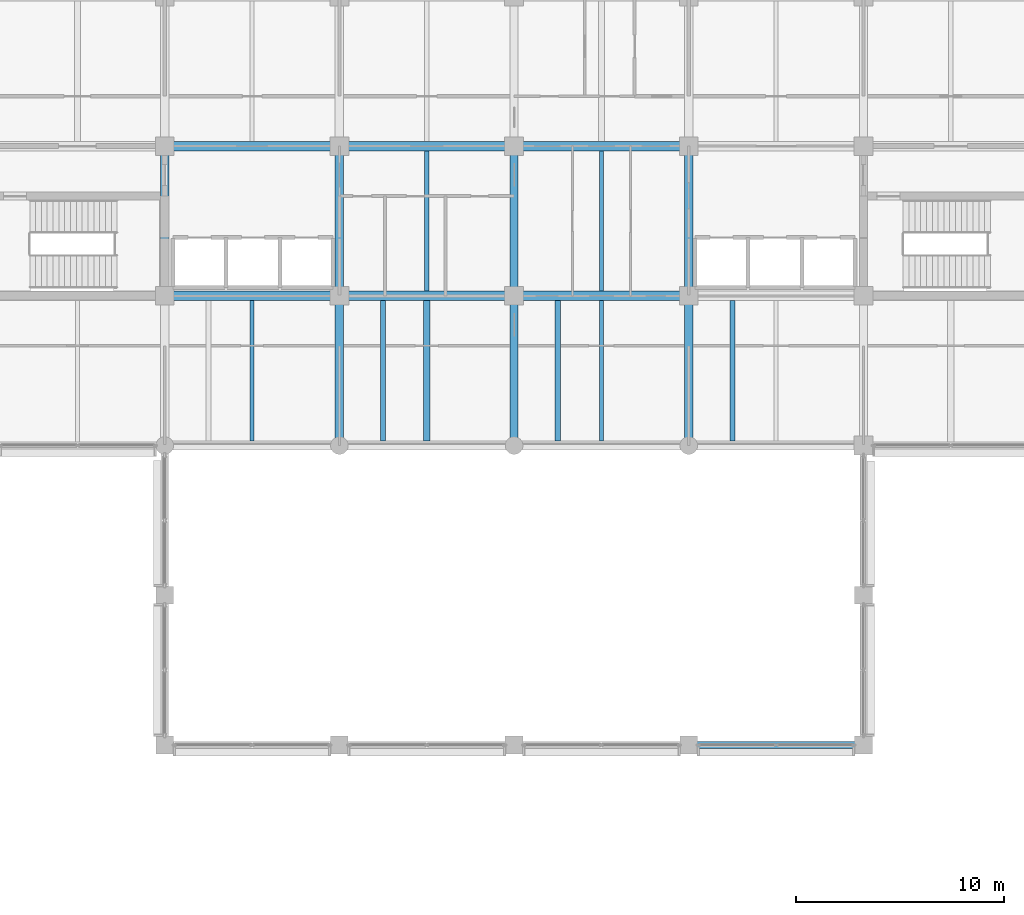
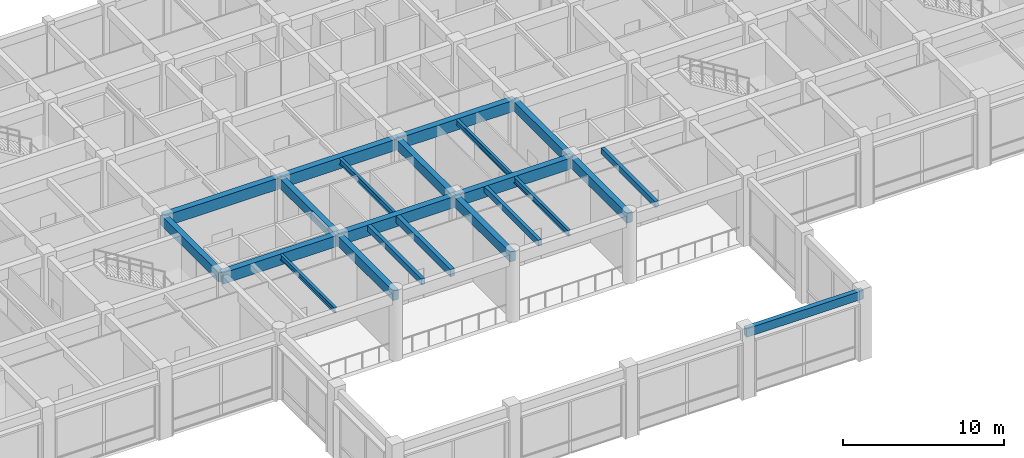
# One storey, part 8 of 51: 22 beams.
"""IFC4 building model written with IfcOpenShell, lengths in metres."""

from ifc_helpers import new_model, si_unit, direction, frame, origin, origin_2d, place, context, subcontext, project, spatial, rectangle, i_section, extrude, material, material_profile, profile_set, type_object, element, save


model = new_model("IFC4")

# Units and contexts
model_context = context("Model", 3, precision=1e-05, world=origin(), true_north=direction((0.0, 1.0)))
body_context = subcontext(model_context, "Body", "Model", "MODEL_VIEW")
ifc_project = project(units=[si_unit("LENGTHUNIT", "METRE"), si_unit("AREAUNIT", "SQUARE_METRE"), si_unit("VOLUMEUNIT", "CUBIC_METRE"), si_unit("PLANEANGLEUNIT", "RADIAN"), si_unit("MASSUNIT", "GRAM", prefix="KILO")], contexts=[model_context])

# Site, building, storey
site_placement = place(None, origin())
site = spatial("IfcSite", under=ifc_project, at=site_placement, CompositionType="ELEMENT")
building_placement = place(site_placement, origin())
building = spatial("IfcBuilding", under=site, at=building_placement, Name="Chengyuan Square Courthouse", CompositionType="ELEMENT")
storey_placement = place(building_placement, frame((0.0, 0.0, 10.800048828125)))
storey = spatial("IfcBuildingStorey", under=building, at=storey_placement, Name="L03", CompositionType="ELEMENT", Elevation=10.800048828125)

# Beams
ifc_material_1 = material(Name="Concrete C40", Category="concrete")
ifc_material_profile_1 = material_profile(ifc_material_1, rectangle(XDim=0.449951171875, YDim=0.85009765625, at=origin_2d()), Name="RC-BM-450x850")
ifc_profile_set_1 = profile_set([ifc_material_profile_1], Name="Concrete C40")
beam_type_1 = type_object("IfcBeamType", Name="BM-01", PredefinedType="USERDEFINED", material=ifc_profile_set_1)
beam_1_placement = place(storey_placement, frame((67.199951171875, 86.39990234375, 4.695068359375), z_axis=(1.0, 0.0, 0.0), x_axis=(0.0, 1.0, 0.0)))
element("IfcBeam", 1, at=beam_1_placement, inside=storey, type_object=beam_type_1, Name="Girder BM-L03-2552", ObjectType="GIRDER", PredefinedType="USERDEFINED", context=body_context, shape_type="SweptSolid", body=[
    extrude(rectangle(XDim=0.449951171875, YDim=0.85009765625, at=origin_2d()), origin(), (0.0, 0.0, 1.0), 8.400146484375),
])
for number, where, z_axis, x_axis, name in (
    (2, (75.60009765625, 86.39990234375, 4.695068359375), (1.0, 0.0, 0.0), (0.0, 1.0, 0.0), "Girder BM-L03-2553"),
    (3, (84.0, 86.39990234375, 4.695068359375), (1.0, 0.0, 0.0), (0.0, 1.0, 0.0), "Girder BM-L03-2554"),
):
    element("IfcBeam", number, at=place(storey_placement, frame(where, z_axis=z_axis, x_axis=x_axis)), inside=storey, type_object=beam_type_1, Name=name, ObjectType="GIRDER", PredefinedType="USERDEFINED", context=body_context, shape_type="SweptSolid", body=[
        extrude(rectangle(XDim=0.449951171875, YDim=0.85009765625, at=origin_2d()), origin(), (0.0, 0.0, 1.0), 8.39990234375),
    ])
beam_2_placement = place(storey_placement, frame((67.199951171875, 93.60009765625, 4.695068359375), z_axis=(1.0, 0.0, 0.0), x_axis=(0.0, 1.0, 0.0)))
element("IfcBeam", 4, at=beam_2_placement, inside=storey, type_object=beam_type_1, Name="Girder BM-L03-2572", ObjectType="GIRDER", PredefinedType="USERDEFINED", context=body_context, shape_type="SweptSolid", body=[
    extrude(rectangle(XDim=0.449951171875, YDim=0.85009765625, at=origin_2d()), origin(), (0.0, 0.0, 1.0), 8.400146484375),
])
for number, where, z_axis, x_axis, name in (
    (5, (75.60009765625, 93.60009765625, 4.695068359375), (1.0, 0.0, 0.0), (0.0, 1.0, 0.0), "Girder BM-L03-2573"),
    (6, (84.0, 93.60009765625, 4.695068359375), (1.0, 0.0, 0.0), (0.0, 1.0, 0.0), "Girder BM-L03-2574"),
):
    element("IfcBeam", number, at=place(storey_placement, frame(where, z_axis=z_axis, x_axis=x_axis)), inside=storey, type_object=beam_type_1, Name=name, ObjectType="GIRDER", PredefinedType="USERDEFINED", context=body_context, shape_type="SweptSolid", body=[
        extrude(rectangle(XDim=0.449951171875, YDim=0.85009765625, at=origin_2d()), origin(), (0.0, 0.0, 1.0), 8.39990234375),
    ])
ifc_material_profile_2 = material_profile(ifc_material_1, rectangle(XDim=0.39990234375, YDim=0.75, at=origin_2d()), Name="RC-BM-400x750")
ifc_profile_set_2 = profile_set([ifc_material_profile_2], Name="Concrete C40")
beam_type_2 = type_object("IfcBeamType", Name="BM-02", PredefinedType="USERDEFINED", material=ifc_profile_set_2)
beam_3_placement = place(storey_placement, frame((67.199951171875, 86.39990234375, 4.744873046875), z_axis=(0.0, 1.0, 0.0), x_axis=(-1.0, 0.0, 0.0)))
element("IfcBeam", 7, at=beam_3_placement, inside=storey, type_object=beam_type_2, Name="Girder BM-L03-2681", ObjectType="GIRDER", PredefinedType="USERDEFINED", context=body_context, shape_type="SweptSolid", body=[
    extrude(rectangle(XDim=0.39990234375, YDim=0.75, at=origin_2d()), origin(), (0.0, 0.0, 1.0), 7.2001953125),
])
beam_4_placement = place(storey_placement, frame((75.60009765625, 79.199951171875, 4.744873046875), z_axis=(0.0, 1.0, 0.0), x_axis=(-1.0, 0.0, 0.0)))
element("IfcBeam", 8, at=beam_4_placement, inside=storey, type_object=beam_type_2, Name="Girder BM-L03-2685", ObjectType="GIRDER", PredefinedType="USERDEFINED", context=body_context, shape_type="SweptSolid", body=[
    extrude(rectangle(XDim=0.39990234375, YDim=0.75, at=origin_2d()), origin(), (0.0, 0.0, 1.0), 7.199951171875),
])
beam_5_placement = place(storey_placement, frame((75.60009765625, 86.39990234375, 4.744873046875), z_axis=(0.0, 1.0, 0.0), x_axis=(-1.0, 0.0, 0.0)))
element("IfcBeam", 9, at=beam_5_placement, inside=storey, type_object=beam_type_2, Name="Girder BM-L03-2686", ObjectType="GIRDER", PredefinedType="USERDEFINED", context=body_context, shape_type="SweptSolid", body=[
    extrude(rectangle(XDim=0.39990234375, YDim=0.75, at=origin_2d()), origin(), (0.0, 0.0, 1.0), 7.2001953125),
])
beam_6_placement = place(storey_placement, frame((84.0, 79.199951171875, 4.744873046875), z_axis=(0.0, 1.0, 0.0), x_axis=(-1.0, 0.0, 0.0)))
element("IfcBeam", 10, at=beam_6_placement, inside=storey, type_object=beam_type_2, Name="Girder BM-L03-2690", ObjectType="GIRDER", PredefinedType="USERDEFINED", context=body_context, shape_type="SweptSolid", body=[
    extrude(rectangle(XDim=0.39990234375, YDim=0.75, at=origin_2d()), origin(), (0.0, 0.0, 1.0), 7.199951171875),
])
beam_7_placement = place(storey_placement, frame((84.0, 86.39990234375, 4.744873046875), z_axis=(0.0, 1.0, 0.0), x_axis=(-1.0, 0.0, 0.0)))
element("IfcBeam", 11, at=beam_7_placement, inside=storey, type_object=beam_type_2, Name="Girder BM-L03-2691", ObjectType="GIRDER", PredefinedType="USERDEFINED", context=body_context, shape_type="SweptSolid", body=[
    extrude(rectangle(XDim=0.39990234375, YDim=0.75, at=origin_2d()), origin(), (0.0, 0.0, 1.0), 7.2001953125),
])
beam_8_placement = place(storey_placement, frame((92.39990234375, 79.199951171875, 4.744873046875), z_axis=(0.0, 1.0, 0.0), x_axis=(-1.0, 0.0, 0.0)))
element("IfcBeam", 12, at=beam_8_placement, inside=storey, type_object=beam_type_2, Name="Girder BM-L03-2695", ObjectType="GIRDER", PredefinedType="USERDEFINED", context=body_context, shape_type="SweptSolid", body=[
    extrude(rectangle(XDim=0.39990234375, YDim=0.75, at=origin_2d()), origin(), (0.0, 0.0, 1.0), 7.199951171875),
])
beam_9_placement = place(storey_placement, frame((92.39990234375, 86.39990234375, 4.744873046875), z_axis=(0.0, 1.0, 0.0), x_axis=(-1.0, 0.0, 0.0)))
element("IfcBeam", 13, at=beam_9_placement, inside=storey, type_object=beam_type_2, Name="Girder BM-L03-2696", ObjectType="GIRDER", PredefinedType="USERDEFINED", context=body_context, shape_type="SweptSolid", body=[
    extrude(rectangle(XDim=0.39990234375, YDim=0.75, at=origin_2d()), origin(), (0.0, 0.0, 1.0), 7.2001953125),
])
ifc_material_profile_3 = material_profile(ifc_material_1, rectangle(XDim=0.35009765625, YDim=0.64990234375, at=origin_2d()), Name="RC-BM-350x650")
ifc_profile_set_3 = profile_set([ifc_material_profile_3], Name="Concrete C40")
beam_type_3 = type_object("IfcBeamType", Name="BM-03", PredefinedType="SPANDREL", material=ifc_profile_set_3)
beam_10_placement = place(storey_placement, frame((92.39990234375, 64.800048828125, 4.794921875), z_axis=(1.0, 0.0, 0.0), x_axis=(0.0, 1.0, 0.0)))
element("IfcBeam", 14, at=beam_10_placement, inside=storey, type_object=beam_type_3, Name="Girder BM-L03-2520", PredefinedType="SPANDREL", context=body_context, shape_type="SweptSolid", body=[
    extrude(rectangle(XDim=0.35009765625, YDim=0.64990234375, at=origin_2d()), origin(), (0.0, 0.0, 1.0), 8.400146484375),
])
ifc_material_profile_4 = material_profile(ifc_material_1, rectangle(XDim=0.300048828125, YDim=0.550048828125, at=origin_2d()), Name="RC-BM-300x550")
ifc_profile_set_4 = profile_set([ifc_material_profile_4], Name="Concrete C40")
beam_type_4 = type_object("IfcBeamType", Name="BM-04", PredefinedType="BEAM", material=ifc_profile_set_4)
beam_11_placement = place(storey_placement, frame((79.800048828125, 79.425048828125, 4.844970703125), z_axis=(0.0, 1.0, 0.0), x_axis=(-1.0, 0.0, 0.0)))
element("IfcBeam", 15, at=beam_11_placement, inside=storey, type_object=beam_type_4, Name="Secondary Floor Beam SBM-L03-2794", PredefinedType="BEAM", context=body_context, shape_type="SweptSolid", body=[
    extrude(rectangle(XDim=0.300048828125, YDim=0.550048828125, at=origin_2d()), origin(), (0.0, 0.0, 1.0), 6.75),
])
ifc_material_profile_5 = material_profile(ifc_material_1, rectangle(XDim=0.25, YDim=0.449951171875, at=origin_2d()), Name="RC-UP-250x450")
ifc_profile_set_5 = profile_set([ifc_material_profile_5], Name="Concrete C40")
beam_type_5 = type_object("IfcBeamType", Name="BM-05", PredefinedType="USERDEFINED", material=ifc_profile_set_5)
for number, where, z_axis, x_axis, name in (
    (16, (77.699951171875, 79.425048828125, 4.89501953125), (0.0, 1.0, 0.0), (-1.0, 0.0, 0.0), "Concourse Edge Trim Beam UPB-L03-09"),
    (17, (86.10009765625, 79.425048828125, 4.89501953125), (0.0, 1.0, 0.0), (-1.0, 0.0, 0.0), "Concourse Edge Trim Beam UPB-L03-10"),
    (18, (94.5, 79.425048828125, 4.89501953125), (0.0, 1.0, 0.0), (-1.0, 0.0, 0.0), "Concourse Edge Trim Beam UPB-L03-11"),
):
    element("IfcBeam", number, at=place(storey_placement, frame(where, z_axis=z_axis, x_axis=x_axis)), inside=storey, type_object=beam_type_5, Name=name, ObjectType="UPSTAND", PredefinedType="USERDEFINED", context=body_context, shape_type="SweptSolid", body=[
        extrude(rectangle(XDim=0.25, YDim=0.449951171875, at=origin_2d()), origin(), (0.0, 0.0, 1.0), 6.75),
    ])
ifc_material_2 = material(Name="Steel Q355B", Category="steel")
ifc_material_profile_6 = material_profile(ifc_material_2, i_section(OverallWidth=0.199951171875, OverallDepth=0.449951171875, WebThickness=0.009033203125, FlangeThickness=0.013916015625, at=origin_2d()), Name="HN 450x200x9x14")
ifc_profile_set_6 = profile_set([ifc_material_profile_6], Name="Steel Q355B")
beam_type_6 = type_object("IfcBeamType", Name="BM-06", PredefinedType="BEAM", material=ifc_profile_set_6)
for number, where, z_axis, x_axis, name in (
    (19, (79.800048828125, 86.625, 4.89501953125), (0.0, 1.0, 0.0), (-1.0, 0.0, 0.0), "Secondary Floor Beam SBM-L03-2795"),
    (20, (88.199951171875, 79.425048828125, 4.89501953125), (0.0, 1.0, 0.0), (-1.0, 0.0, 0.0), "Secondary Floor Beam SBM-L03-2798"),
):
    element("IfcBeam", number, at=place(storey_placement, frame(where, z_axis=z_axis, x_axis=x_axis)), inside=storey, type_object=beam_type_6, Name=name, PredefinedType="BEAM", context=body_context, shape_type="SweptSolid", body=[
        extrude(i_section(OverallWidth=0.199951171875, OverallDepth=0.449951171875, WebThickness=0.009033203125, FlangeThickness=0.013916015625, at=origin_2d()), origin(), (0.0, 0.0, 1.0), 6.75),
    ])
ifc_material_profile_7 = material_profile(ifc_material_2, i_section(OverallWidth=0.199951171875, OverallDepth=0.39990234375, WebThickness=0.008056640625, FlangeThickness=0.012939453125, at=origin_2d()), Name="HN 400x200x8x13")
ifc_profile_set_7 = profile_set([ifc_material_profile_7], Name="Steel Q355B")
beam_type_7 = type_object("IfcBeamType", Name="BM-07", PredefinedType="BEAM", material=ifc_profile_set_7)
for number, where, z_axis, x_axis, name in (
    (21, (71.39990234375, 79.425048828125, 4.919921875), (0.0, 1.0, 0.0), (-1.0, 0.0, 0.0), "Secondary Floor Beam SBM-L03-2790"),
    (22, (88.199951171875, 86.625, 4.919921875), (0.0, 1.0, 0.0), (-1.0, 0.0, 0.0), "Secondary Floor Beam SBM-L03-2799"),
):
    element("IfcBeam", number, at=place(storey_placement, frame(where, z_axis=z_axis, x_axis=x_axis)), inside=storey, type_object=beam_type_7, Name=name, PredefinedType="BEAM", context=body_context, shape_type="SweptSolid", body=[
        extrude(i_section(OverallWidth=0.199951171875, OverallDepth=0.39990234375, WebThickness=0.008056640625, FlangeThickness=0.012939453125, at=origin_2d()), origin(), (0.0, 0.0, 1.0), 6.75),
    ])

save(model, "model.ifc")
